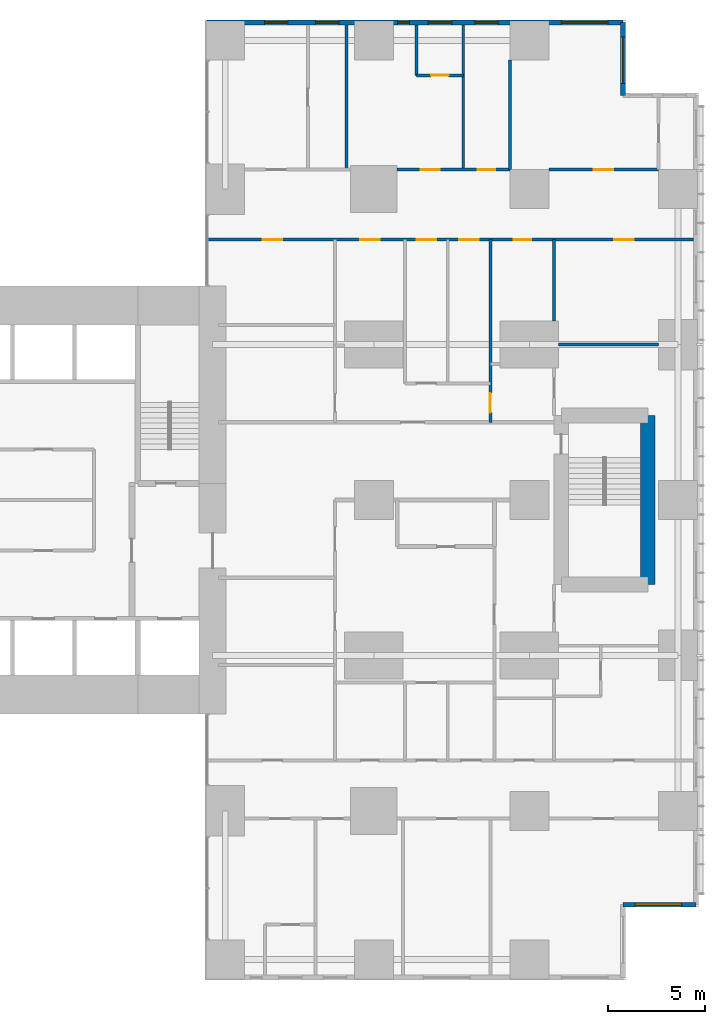
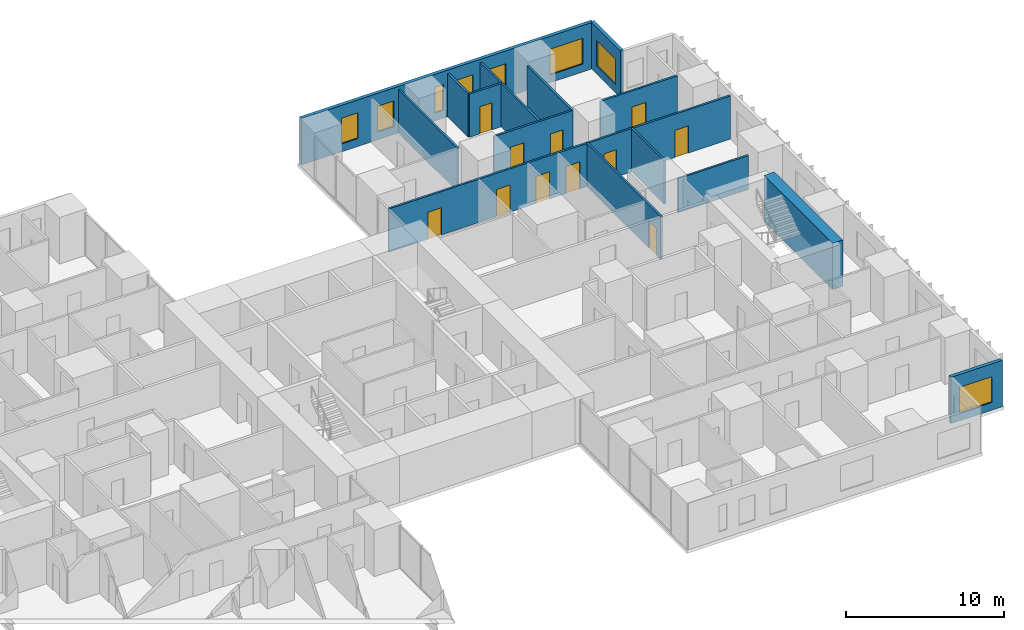
# One storey, part 18 of 20: 15 walls, 11 doors, 8 windows, 19 openings.
"""IFC4 building model written with IfcOpenShell, lengths in metres."""

from ifc_helpers import new_model, si_unit, direction, frame, frame_2d, origin, place, context, subcontext, project, spatial, rectangle, extrude, material, layer, layer_set, type_object, element, fill, save


model = new_model("IFC4")

# Units and contexts
model_context = context("Model", 3, precision=1e-05, world=origin(), true_north=direction((0.0, 1.0)))
body_context = subcontext(model_context, "Body", "Model", "MODEL_VIEW")
ifc_project = project(units=[si_unit("LENGTHUNIT", "METRE"), si_unit("AREAUNIT", "SQUARE_METRE"), si_unit("VOLUMEUNIT", "CUBIC_METRE"), si_unit("PLANEANGLEUNIT", "RADIAN"), si_unit("MASSUNIT", "GRAM", prefix="KILO")], contexts=[model_context])

# Site, building, storey
site_placement = place(None, origin())
site = spatial("IfcSite", under=ifc_project, at=site_placement, CompositionType="ELEMENT")
building_placement = place(site_placement, origin())
building = spatial("IfcBuilding", under=site, at=building_placement, Name="Cleftline Residences", CompositionType="ELEMENT")
storey_placement = place(building_placement, frame((0.0, 0.0, 40.39990234375)))
storey = spatial("IfcBuildingStorey", under=building, at=storey_placement, Name="L09", CompositionType="ELEMENT", Elevation=40.39990234375)

# Wall, opening, window
ifc_material_1 = material(Name="Rendered reinforced concrete blockwork", Category="masonry")
ifc_layer_1 = layer(ifc_material_1, 0.25)
ifc_layer_set_1 = layer_set([ifc_layer_1], Name="EXTERNAL WALL 250")
wall_type_1 = type_object("IfcWallType", Name="EXTERNAL WALL 250", PredefinedType="SOLIDWALL", material=ifc_layer_set_1)
wall_1_placement = place(storey_placement, frame((62.824951171875, 3.175048828125, 0.0), z_axis=(0.0, 0.0, 1.0), x_axis=(1.0, 0.0, 0.0)))
wall_1 = element("IfcWall", 1, at=wall_1_placement, inside=storey, type_object=wall_type_1, Name="External wall", PredefinedType="SOLIDWALL", context=body_context, shape_type="SweptSolid", body=[
    extrude(rectangle(XDim=3.75, YDim=0.25, at=frame_2d((1.875, 0.0))), origin(), (0.0, 0.0, 1.0), 3.60009765625),
])
opening_1_placement = place(wall_1_placement, frame((0.612548828125, 0.0, 0.60009765625)))
opening_1 = element("IfcOpeningElement", 2, at=opening_1_placement, cuts=wall_1, Name="Opening W6", PredefinedType="OPENING", context=body_context, shape_type="SweptSolid", body=[
    extrude(rectangle(XDim=2.39990234375, YDim=2.0, at=frame_2d((1.199951171875, 1.0))), frame((0.0, 0.135009765625, 0.0), z_axis=(0.0, -1.0, 0.0), x_axis=(1.0, 0.0, 0.0)), (0.0, 0.0, 1.0), 0.27001953125),
])
ifc_material_2 = material(Name="Aluminium frame, clear double glazing", Category="aluminium")
window_type_1 = type_object("IfcWindowType", Name="WINDOW 2400X2000", PartitioningType="DOUBLE_PANEL_VERTICAL", PredefinedType="WINDOW", material=ifc_material_2)
window_1_placement = place(opening_1_placement, origin())
window_1 = element("IfcWindow", 3, at=window_1_placement, inside=storey, type_object=window_type_1, Name="Window", OverallHeight=2.0, OverallWidth=2.39990234375, PartitioningType="SINGLE_PANEL", PredefinedType="WINDOW", context=body_context, shape_type="SweptSolid", body=[
    extrude(rectangle(XDim=2.39990234375, YDim=2.0, at=frame_2d((1.199951171875, 1.0))), frame((0.0, 0.030029296875, 0.0), z_axis=(0.0, -1.0, 0.0), x_axis=(1.0, 0.0, 0.0)), (0.0, 0.0, 1.0), 0.06005859375),
])
fill(opening_1, window_1)

wall_2_placement = place(storey_placement, frame((62.824951171875, 44.824951171875, 0.0), z_axis=(0.0, 0.0, 1.0), x_axis=(0.0, 1.0, 0.0)))
wall_2 = element("IfcWall", 4, at=wall_2_placement, inside=storey, type_object=wall_type_1, Name="External wall", PredefinedType="SOLIDWALL", context=body_context, shape_type="SweptSolid", body=[
    extrude(rectangle(XDim=3.75, YDim=0.25, at=frame_2d((1.875, 0.0))), origin(), (0.0, 0.0, 1.0), 3.60009765625),
])
opening_2_placement = place(wall_2_placement, frame((0.612548828125, 0.0, 0.60009765625)))
opening_2 = element("IfcOpeningElement", 5, at=opening_2_placement, cuts=wall_2, Name="Opening W6", PredefinedType="OPENING", context=body_context, shape_type="SweptSolid", body=[
    extrude(rectangle(XDim=2.39990234375, YDim=2.0, at=frame_2d((1.199951171875, 1.0))), frame((0.0, 0.135009765625, 0.0), z_axis=(0.0, -1.0, 0.0), x_axis=(1.0, 0.0, 0.0)), (0.0, 0.0, 1.0), 0.27001953125),
])
window_2_placement = place(opening_2_placement, origin())
window_2 = element("IfcWindow", 6, at=window_2_placement, inside=storey, type_object=window_type_1, Name="Window", OverallHeight=2.0, OverallWidth=2.39990234375, PartitioningType="SINGLE_PANEL", PredefinedType="WINDOW", context=body_context, shape_type="SweptSolid", body=[
    extrude(rectangle(XDim=2.39990234375, YDim=2.0, at=frame_2d((1.199951171875, 1.0))), frame((0.0, 0.030029296875, 0.0), z_axis=(0.0, -1.0, 0.0), x_axis=(1.0, 0.0, 0.0)), (0.0, 0.0, 1.0), 0.06005859375),
])
fill(opening_2, window_2)

# Wall, openings, windows
wall_3_placement = place(storey_placement, frame((62.824951171875, 48.574951171875, 0.0), z_axis=(0.0, 0.0, 1.0), x_axis=(-1.0, 0.0, 0.0)))
wall_3 = element("IfcWall", 7, at=wall_3_placement, inside=storey, type_object=wall_type_1, Name="External wall", PredefinedType="SOLIDWALL", context=body_context, shape_type="SweptSolid", body=[
    extrude(rectangle(XDim=21.39990234375, YDim=0.25, at=frame_2d((10.699951171875, 0.0))), origin(), (0.0, 0.0, 1.0), 3.60009765625),
])
opening_3_placement = place(wall_3_placement, frame((0.77490234375, 0.0, 0.60009765625)))
opening_3 = element("IfcOpeningElement", 8, at=opening_3_placement, cuts=wall_3, Name="Opening W6", PredefinedType="OPENING", context=body_context, shape_type="SweptSolid", body=[
    extrude(rectangle(XDim=2.39990234375, YDim=2.0, at=frame_2d((1.199951171875, 1.0))), frame((0.0, 0.135009765625, 0.0), z_axis=(0.0, -1.0, 0.0), x_axis=(1.0, 0.0, 0.0)), (0.0, 0.0, 1.0), 0.27001953125),
])
opening_4_placement = place(wall_3_placement, frame((6.425048828125, 0.0, 0.60009765625)))
opening_4 = element("IfcOpeningElement", 9, at=opening_4_placement, cuts=wall_3, Name="Opening W8", PredefinedType="OPENING", context=body_context, shape_type="SweptSolid", body=[
    extrude(rectangle(XDim=1.199951171875, YDim=2.0, at=frame_2d((0.60009765625, 1.0))), frame((0.0, 0.135009765625, 0.0), z_axis=(0.0, -1.0, 0.0), x_axis=(1.0, 0.0, 0.0)), (0.0, 0.0, 1.0), 0.27001953125),
])
opening_5_placement = place(wall_3_placement, frame((8.824951171875, 0.0, 0.60009765625)))
opening_5 = element("IfcOpeningElement", 10, at=opening_5_placement, cuts=wall_3, Name="Opening W8", PredefinedType="OPENING", context=body_context, shape_type="SweptSolid", body=[
    extrude(rectangle(XDim=1.199951171875, YDim=2.0, at=frame_2d((0.60009765625, 1.0))), frame((0.0, 0.135009765625, 0.0), z_axis=(0.0, -1.0, 0.0), x_axis=(1.0, 0.0, 0.0)), (0.0, 0.0, 1.0), 0.27001953125),
])
opening_6_placement = place(wall_3_placement, frame((11.0, 0.0, 0.60009765625)))
opening_6 = element("IfcOpeningElement", 11, at=opening_6_placement, cuts=wall_3, Name="Opening W7", PredefinedType="OPENING", context=body_context, shape_type="SweptSolid", body=[
    extrude(rectangle(XDim=0.60009765625, YDim=2.0, at=frame_2d((0.300048828125, 1.0))), frame((0.0, 0.135009765625, 0.0), z_axis=(0.0, -1.0, 0.0), x_axis=(1.0, 0.0, 0.0)), (0.0, 0.0, 1.0), 0.27001953125),
])
opening_7_placement = place(wall_3_placement, frame((14.625, 0.0, 0.60009765625)))
opening_7 = element("IfcOpeningElement", 12, at=opening_7_placement, cuts=wall_3, Name="Opening W8", PredefinedType="OPENING", context=body_context, shape_type="SweptSolid", body=[
    extrude(rectangle(XDim=1.199951171875, YDim=2.0, at=frame_2d((0.60009765625, 1.0))), frame((0.0, 0.135009765625, 0.0), z_axis=(0.0, -1.0, 0.0), x_axis=(1.0, 0.0, 0.0)), (0.0, 0.0, 1.0), 0.27001953125),
])
opening_8_placement = place(wall_3_placement, frame((17.25, 0.0, 0.60009765625)))
opening_8 = element("IfcOpeningElement", 13, at=opening_8_placement, cuts=wall_3, Name="Opening W8", PredefinedType="OPENING", context=body_context, shape_type="SweptSolid", body=[
    extrude(rectangle(XDim=1.199951171875, YDim=2.0, at=frame_2d((0.60009765625, 1.0))), frame((0.0, 0.135009765625, 0.0), z_axis=(0.0, -1.0, 0.0), x_axis=(1.0, 0.0, 0.0)), (0.0, 0.0, 1.0), 0.27001953125),
])
ifc_material_3 = material(Name="Aluminium frame, clear double glazing", Category="aluminium")
window_type_2 = type_object("IfcWindowType", Name="WINDOW 1200X2000", PartitioningType="DOUBLE_PANEL_VERTICAL", PredefinedType="WINDOW", material=ifc_material_3)
window_3_placement = place(opening_4_placement, origin())
window_3 = element("IfcWindow", 14, at=window_3_placement, inside=storey, type_object=window_type_2, Name="Window", OverallHeight=2.0, OverallWidth=1.199951171875, PartitioningType="SINGLE_PANEL", PredefinedType="WINDOW", context=body_context, shape_type="SweptSolid", body=[
    extrude(rectangle(XDim=1.199951171875, YDim=2.0, at=frame_2d((0.60009765625, 1.0))), frame((0.0, 0.030029296875, 0.0), z_axis=(0.0, -1.0, 0.0), x_axis=(1.0, 0.0, 0.0)), (0.0, 0.0, 1.0), 0.06005859375),
])
fill(opening_4, window_3)
window_4_placement = place(opening_5_placement, origin())
window_4 = element("IfcWindow", 15, at=window_4_placement, inside=storey, type_object=window_type_2, Name="Window", OverallHeight=2.0, OverallWidth=1.199951171875, PartitioningType="SINGLE_PANEL", PredefinedType="WINDOW", context=body_context, shape_type="SweptSolid", body=[
    extrude(rectangle(XDim=1.199951171875, YDim=2.0, at=frame_2d((0.60009765625, 1.0))), frame((0.0, 0.030029296875, 0.0), z_axis=(0.0, -1.0, 0.0), x_axis=(1.0, 0.0, 0.0)), (0.0, 0.0, 1.0), 0.06005859375),
])
fill(opening_5, window_4)
window_5_placement = place(opening_7_placement, origin())
window_5 = element("IfcWindow", 16, at=window_5_placement, inside=storey, type_object=window_type_2, Name="Window", OverallHeight=2.0, OverallWidth=1.199951171875, PartitioningType="SINGLE_PANEL", PredefinedType="WINDOW", context=body_context, shape_type="SweptSolid", body=[
    extrude(rectangle(XDim=1.199951171875, YDim=2.0, at=frame_2d((0.60009765625, 1.0))), frame((0.0, 0.030029296875, 0.0), z_axis=(0.0, -1.0, 0.0), x_axis=(1.0, 0.0, 0.0)), (0.0, 0.0, 1.0), 0.06005859375),
])
fill(opening_7, window_5)
window_6_placement = place(opening_8_placement, origin())
window_6 = element("IfcWindow", 17, at=window_6_placement, inside=storey, type_object=window_type_2, Name="Window", OverallHeight=2.0, OverallWidth=1.199951171875, PartitioningType="SINGLE_PANEL", PredefinedType="WINDOW", context=body_context, shape_type="SweptSolid", body=[
    extrude(rectangle(XDim=1.199951171875, YDim=2.0, at=frame_2d((0.60009765625, 1.0))), frame((0.0, 0.030029296875, 0.0), z_axis=(0.0, -1.0, 0.0), x_axis=(1.0, 0.0, 0.0)), (0.0, 0.0, 1.0), 0.06005859375),
])
fill(opening_8, window_6)
window_7_placement = place(opening_3_placement, origin())
window_7 = element("IfcWindow", 18, at=window_7_placement, inside=storey, type_object=window_type_1, Name="Window", OverallHeight=2.0, OverallWidth=2.39990234375, PartitioningType="SINGLE_PANEL", PredefinedType="WINDOW", context=body_context, shape_type="SweptSolid", body=[
    extrude(rectangle(XDim=2.39990234375, YDim=2.0, at=frame_2d((1.199951171875, 1.0))), frame((0.0, 0.030029296875, 0.0), z_axis=(0.0, -1.0, 0.0), x_axis=(1.0, 0.0, 0.0)), (0.0, 0.0, 1.0), 0.06005859375),
])
fill(opening_3, window_7)
ifc_material_4 = material(Name="Aluminium frame, clear double glazing", Category="aluminium")
window_type_3 = type_object("IfcWindowType", Name="WINDOW 600X2000", PartitioningType="DOUBLE_PANEL_VERTICAL", PredefinedType="WINDOW", material=ifc_material_4)
window_8_placement = place(opening_6_placement, origin())
window_8 = element("IfcWindow", 19, at=window_8_placement, inside=storey, type_object=window_type_3, Name="Window", OverallHeight=2.0, OverallWidth=0.60009765625, PartitioningType="SINGLE_PANEL", PredefinedType="WINDOW", context=body_context, shape_type="SweptSolid", body=[
    extrude(rectangle(XDim=0.60009765625, YDim=2.0, at=frame_2d((0.300048828125, 1.0))), frame((0.0, 0.030029296875, 0.0), z_axis=(0.0, -1.0, 0.0), x_axis=(1.0, 0.0, 0.0)), (0.0, 0.0, 1.0), 0.06005859375),
])
fill(opening_6, window_8)

# Wall
ifc_material_5 = material(Name="Gypsum board on steel studs", Category="steel")
ifc_layer_2 = layer(ifc_material_5, 0.14990234375)
ifc_layer_set_2 = layer_set([ifc_layer_2], Name="PARTITION 150")
wall_type_2 = type_object("IfcWallType", Name="PARTITION 150", PredefinedType="PARTITIONING", material=ifc_layer_set_2)
wall_4_placement = place(storey_placement, frame((59.5, 32.0, 0.0), z_axis=(0.0, 0.0, 1.0), x_axis=(1.0, 0.0, 0.0)))
element("IfcWall", 20, at=wall_4_placement, inside=storey, type_object=wall_type_2, Name="Partition", PredefinedType="PARTITIONING", context=body_context, shape_type="SweptSolid", body=[
    extrude(rectangle(XDim=5.14990234375, YDim=0.14990234375, at=frame_2d((2.574951171875, 0.0))), origin(), (0.0, 0.0, 1.0), 2.634033203125),
])

# Wall, openings, doors
wall_5_placement = place(storey_placement, frame((41.43896484375, 37.39990234375, 0.0), z_axis=(0.0, 0.0, 1.0), x_axis=(1.0, 0.0, 0.0)))
wall_5 = element("IfcWall", 21, at=wall_5_placement, inside=storey, type_object=wall_type_2, Name="Partition", PredefinedType="PARTITIONING", context=body_context, shape_type="SweptSolid", body=[
    extrude(rectangle(XDim=25.010986328125, YDim=0.14990234375, at=frame_2d((12.50537109375, 0.0))), origin(), (0.0, 0.0, 1.0), 3.35009765625),
])
opening_9_placement = place(wall_5_placement, frame((10.760986328125, 0.0, 0.0)))
opening_9 = element("IfcOpeningElement", 22, at=opening_9_placement, cuts=wall_5, Name="Opening D2", PredefinedType="OPENING", context=body_context, shape_type="SweptSolid", body=[
    extrude(rectangle(XDim=1.0, YDim=2.10009765625, at=frame_2d((0.5, 1.050048828125))), frame((0.0, 0.0849609375, 0.0), z_axis=(0.0, -1.0, 0.0), x_axis=(1.0, 0.0, 0.0)), (0.0, 0.0, 1.0), 0.169921875),
])
opening_10_placement = place(wall_5_placement, frame((20.923583984375, 0.0, 0.0)))
opening_10 = element("IfcOpeningElement", 23, at=opening_10_placement, cuts=wall_5, Name="Opening D2", PredefinedType="OPENING", context=body_context, shape_type="SweptSolid", body=[
    extrude(rectangle(XDim=1.0, YDim=2.10009765625, at=frame_2d((0.5, 1.050048828125))), frame((0.0, 0.0849609375, 0.0), z_axis=(0.0, -1.0, 0.0), x_axis=(1.0, 0.0, 0.0)), (0.0, 0.0, 1.0), 0.169921875),
])
opening_11_placement = place(wall_5_placement, frame((15.74853515625, 0.0, 0.0)))
opening_11 = element("IfcOpeningElement", 24, at=opening_11_placement, cuts=wall_5, Name="Opening D1", PredefinedType="OPENING", context=body_context, shape_type="SweptSolid", body=[
    extrude(rectangle(XDim=0.89990234375, YDim=2.10009765625, at=frame_2d((0.449951171875, 1.050048828125))), frame((0.0, 0.0849609375, 0.0), z_axis=(0.0, -1.0, 0.0), x_axis=(1.0, 0.0, 0.0)), (0.0, 0.0, 1.0), 0.169921875),
])
opening_12_placement = place(wall_5_placement, frame((12.9609375, 0.0, 0.0)))
opening_12 = element("IfcOpeningElement", 25, at=opening_12_placement, cuts=wall_5, Name="Opening D2", PredefinedType="OPENING", context=body_context, shape_type="SweptSolid", body=[
    extrude(rectangle(XDim=1.0, YDim=2.10009765625, at=frame_2d((0.5, 1.050048828125))), frame((0.0, 0.0849609375, 0.0), z_axis=(0.0, -1.0, 0.0), x_axis=(1.0, 0.0, 0.0)), (0.0, 0.0, 1.0), 0.169921875),
])
opening_13_placement = place(wall_5_placement, frame((7.861083984375, 0.0, 0.0)))
opening_13 = element("IfcOpeningElement", 26, at=opening_13_placement, cuts=wall_5, Name="Opening D2", PredefinedType="OPENING", context=body_context, shape_type="SweptSolid", body=[
    extrude(rectangle(XDim=1.0, YDim=2.10009765625, at=frame_2d((0.5, 1.050048828125))), frame((0.0, 0.0849609375, 0.0), z_axis=(0.0, -1.0, 0.0), x_axis=(1.0, 0.0, 0.0)), (0.0, 0.0, 1.0), 0.169921875),
])
opening_14_placement = place(wall_5_placement, frame((2.8359375, 0.0, 0.0)))
opening_14 = element("IfcOpeningElement", 27, at=opening_14_placement, cuts=wall_5, Name="Opening D2", PredefinedType="OPENING", context=body_context, shape_type="SweptSolid", body=[
    extrude(rectangle(XDim=1.0, YDim=2.10009765625, at=frame_2d((0.5, 1.050048828125))), frame((0.0, 0.0849609375, 0.0), z_axis=(0.0, -1.0, 0.0), x_axis=(1.0, 0.0, 0.0)), (0.0, 0.0, 1.0), 0.169921875),
])
ifc_material_6 = material(Name="Timber veneer on solid core", Category="wood")
door_type_1 = type_object("IfcDoorType", Name="DOOR 1000X2100", OperationType="SINGLE_SWING_LEFT", PredefinedType="DOOR", material=ifc_material_6)
door_1_placement = place(opening_9_placement, origin())
door_1 = element("IfcDoor", 28, at=door_1_placement, inside=storey, type_object=door_type_1, Name="Door to residence hall", OperationType="SINGLE_SWING_RIGHT", OverallHeight=2.10009765625, OverallWidth=1.0, PredefinedType="DOOR", context=body_context, shape_type="SweptSolid", body=[
    extrude(rectangle(XDim=1.0, YDim=2.10009765625, at=frame_2d((0.5, 1.050048828125))), frame((0.0, 0.02490234375, 0.0), z_axis=(0.0, -1.0, 0.0), x_axis=(1.0, 0.0, 0.0)), (0.0, 0.0, 1.0), 0.050048828125),
])
fill(opening_9, door_1)
door_2_placement = place(opening_10_placement, origin())
door_2 = element("IfcDoor", 29, at=door_2_placement, inside=storey, type_object=door_type_1, Name="Door to sea-view living room", OperationType="SINGLE_SWING_LEFT", OverallHeight=2.10009765625, OverallWidth=1.0, PredefinedType="DOOR", context=body_context, shape_type="SweptSolid", body=[
    extrude(rectangle(XDim=1.0, YDim=2.10009765625, at=frame_2d((0.5, 1.050048828125))), frame((0.0, 0.02490234375, 0.0), z_axis=(0.0, -1.0, 0.0), x_axis=(1.0, 0.0, 0.0)), (0.0, 0.0, 1.0), 0.050048828125),
])
fill(opening_10, door_2)
door_3_placement = place(opening_12_placement, origin())
door_3 = element("IfcDoor", 30, at=door_3_placement, inside=storey, type_object=door_type_1, Name="Door to show kitchen", OperationType="SINGLE_SWING_LEFT", OverallHeight=2.10009765625, OverallWidth=1.0, PredefinedType="DOOR", context=body_context, shape_type="SweptSolid", body=[
    extrude(rectangle(XDim=1.0, YDim=2.10009765625, at=frame_2d((0.5, 1.050048828125))), frame((0.0, 0.02490234375, 0.0), z_axis=(0.0, -1.0, 0.0), x_axis=(1.0, 0.0, 0.0)), (0.0, 0.0, 1.0), 0.050048828125),
])
fill(opening_12, door_3)
door_4_placement = place(opening_13_placement, origin())
door_4 = element("IfcDoor", 31, at=door_4_placement, inside=storey, type_object=door_type_1, Name="Door to wet kitchen", OperationType="SINGLE_SWING_RIGHT", OverallHeight=2.10009765625, OverallWidth=1.0, PredefinedType="DOOR", context=body_context, shape_type="SweptSolid", body=[
    extrude(rectangle(XDim=1.0, YDim=2.10009765625, at=frame_2d((0.5, 1.050048828125))), frame((0.0, 0.02490234375, 0.0), z_axis=(0.0, -1.0, 0.0), x_axis=(1.0, 0.0, 0.0)), (0.0, 0.0, 1.0), 0.050048828125),
])
fill(opening_13, door_4)
door_5_placement = place(opening_14_placement, origin())
door_5 = element("IfcDoor", 32, at=door_5_placement, inside=storey, type_object=door_type_1, Name="Door to study", OperationType="SINGLE_SWING_RIGHT", OverallHeight=2.10009765625, OverallWidth=1.0, PredefinedType="DOOR", context=body_context, shape_type="SweptSolid", body=[
    extrude(rectangle(XDim=1.0, YDim=2.10009765625, at=frame_2d((0.5, 1.050048828125))), frame((0.0, 0.02490234375, 0.0), z_axis=(0.0, -1.0, 0.0), x_axis=(1.0, 0.0, 0.0)), (0.0, 0.0, 1.0), 0.050048828125),
])
fill(opening_14, door_5)
ifc_material_7 = material(Name="Timber veneer on solid core", Category="wood")
door_type_2 = type_object("IfcDoorType", Name="DOOR 900X2100", OperationType="SINGLE_SWING_LEFT", PredefinedType="DOOR", material=ifc_material_7)
door_6_placement = place(opening_11_placement, origin())
door_6 = element("IfcDoor", 33, at=door_6_placement, inside=storey, type_object=door_type_2, Name="Door to master bathroom", OperationType="SINGLE_SWING_LEFT", OverallHeight=2.10009765625, OverallWidth=0.89990234375, PredefinedType="DOOR", context=body_context, shape_type="SweptSolid", body=[
    extrude(rectangle(XDim=0.89990234375, YDim=2.10009765625, at=frame_2d((0.449951171875, 1.050048828125))), frame((0.0, 0.02490234375, 0.0), z_axis=(0.0, -1.0, 0.0), x_axis=(1.0, 0.0, 0.0)), (0.0, 0.0, 1.0), 0.050048828125),
])
fill(opening_11, door_6)

wall_6_placement = place(storey_placement, frame((51.199951171875, 41.0, 0.0), z_axis=(0.0, 0.0, 1.0), x_axis=(1.0, 0.0, 0.0)))
wall_6 = element("IfcWall", 34, at=wall_6_placement, inside=storey, type_object=wall_type_2, Name="Partition", PredefinedType="PARTITIONING", context=body_context, shape_type="SweptSolid", body=[
    extrude(rectangle(XDim=5.800048828125, YDim=0.14990234375, at=frame_2d((2.89990234375, 0.0))), origin(), (0.0, 0.0, 1.0), 3.35009765625),
])
opening_15_placement = place(wall_6_placement, frame((4.14990234375, 0.0, 0.0)))
opening_15 = element("IfcOpeningElement", 35, at=opening_15_placement, cuts=wall_6, Name="Opening D1", PredefinedType="OPENING", context=body_context, shape_type="SweptSolid", body=[
    extrude(rectangle(XDim=0.89990234375, YDim=2.10009765625, at=frame_2d((0.449951171875, 1.050048828125))), frame((0.0, 0.0849609375, 0.0), z_axis=(0.0, -1.0, 0.0), x_axis=(1.0, 0.0, 0.0)), (0.0, 0.0, 1.0), 0.169921875),
])
opening_16_placement = place(wall_6_placement, frame((1.199951171875, 0.0, 0.0)))
opening_16 = element("IfcOpeningElement", 36, at=opening_16_placement, cuts=wall_6, Name="Opening D2", PredefinedType="OPENING", context=body_context, shape_type="SweptSolid", body=[
    extrude(rectangle(XDim=1.0, YDim=2.10009765625, at=frame_2d((0.5, 1.050048828125))), frame((0.0, 0.0849609375, 0.0), z_axis=(0.0, -1.0, 0.0), x_axis=(1.0, 0.0, 0.0)), (0.0, 0.0, 1.0), 0.169921875),
])
door_7_placement = place(opening_16_placement, origin())
door_7 = element("IfcDoor", 37, at=door_7_placement, inside=storey, type_object=door_type_1, Name="Door to bedroom 2", OperationType="SINGLE_SWING_RIGHT", OverallHeight=2.10009765625, OverallWidth=1.0, PredefinedType="DOOR", context=body_context, shape_type="SweptSolid", body=[
    extrude(rectangle(XDim=1.0, YDim=2.10009765625, at=frame_2d((0.5, 1.050048828125))), frame((0.0, 0.02490234375, 0.0), z_axis=(0.0, -1.0, 0.0), x_axis=(1.0, 0.0, 0.0)), (0.0, 0.0, 1.0), 0.050048828125),
])
fill(opening_16, door_7)
door_8_placement = place(opening_15_placement, origin())
door_8 = element("IfcDoor", 38, at=door_8_placement, inside=storey, type_object=door_type_2, Name="Door to master dressing room", OperationType="SINGLE_SWING_LEFT", OverallHeight=2.10009765625, OverallWidth=0.89990234375, PredefinedType="DOOR", context=body_context, shape_type="SweptSolid", body=[
    extrude(rectangle(XDim=0.89990234375, YDim=2.10009765625, at=frame_2d((0.449951171875, 1.050048828125))), frame((0.0, 0.02490234375, 0.0), z_axis=(0.0, -1.0, 0.0), x_axis=(1.0, 0.0, 0.0)), (0.0, 0.0, 1.0), 0.050048828125),
])
fill(opening_15, door_8)

# Wall, opening, door
wall_7_placement = place(storey_placement, frame((59.0, 41.0, 0.0), z_axis=(0.0, 0.0, 1.0), x_axis=(1.0, 0.0, 0.0)))
wall_7 = element("IfcWall", 39, at=wall_7_placement, inside=storey, type_object=wall_type_2, Name="Partition", PredefinedType="PARTITIONING", context=body_context, shape_type="SweptSolid", body=[
    extrude(rectangle(XDim=5.64990234375, YDim=0.14990234375, at=frame_2d((2.824951171875, 0.0))), origin(), (0.0, 0.0, 1.0), 3.35009765625),
])
opening_17_placement = place(wall_7_placement, frame((2.324951171875, 0.0, 0.0)))
opening_17 = element("IfcOpeningElement", 40, at=opening_17_placement, cuts=wall_7, Name="Opening D2", PredefinedType="OPENING", context=body_context, shape_type="SweptSolid", body=[
    extrude(rectangle(XDim=1.0, YDim=2.10009765625, at=frame_2d((0.5, 1.050048828125))), frame((0.0, 0.0849609375, 0.0), z_axis=(0.0, -1.0, 0.0), x_axis=(1.0, 0.0, 0.0)), (0.0, 0.0, 1.0), 0.169921875),
])
door_9_placement = place(opening_17_placement, origin())
door_9 = element("IfcDoor", 41, at=door_9_placement, inside=storey, type_object=door_type_1, Name="Door to master bedroom", OperationType="SINGLE_SWING_LEFT", OverallHeight=2.10009765625, OverallWidth=1.0, PredefinedType="DOOR", context=body_context, shape_type="SweptSolid", body=[
    extrude(rectangle(XDim=1.0, YDim=2.10009765625, at=frame_2d((0.5, 1.050048828125))), frame((0.0, 0.02490234375, 0.0), z_axis=(0.0, -1.0, 0.0), x_axis=(1.0, 0.0, 0.0)), (0.0, 0.0, 1.0), 0.050048828125),
])
fill(opening_17, door_9)

wall_8_placement = place(storey_placement, frame((52.199951171875, 45.85009765625, 0.0), z_axis=(0.0, 0.0, 1.0), x_axis=(1.0, 0.0, 0.0)))
wall_8 = element("IfcWall", 42, at=wall_8_placement, inside=storey, type_object=wall_type_2, Name="Partition", PredefinedType="PARTITIONING", context=body_context, shape_type="SweptSolid", body=[
    extrude(rectangle(XDim=2.400146484375, YDim=0.14990234375, at=frame_2d((1.2001953125, 0.0))), origin(), (0.0, 0.0, 1.0), 3.35009765625),
])
opening_18_placement = place(wall_8_placement, frame((0.75, 0.0, 0.0)))
opening_18 = element("IfcOpeningElement", 43, at=opening_18_placement, cuts=wall_8, Name="Opening D1", PredefinedType="OPENING", context=body_context, shape_type="SweptSolid", body=[
    extrude(rectangle(XDim=0.89990234375, YDim=2.10009765625, at=frame_2d((0.449951171875, 1.050048828125))), frame((0.0, 0.0849609375, 0.0), z_axis=(0.0, -1.0, 0.0), x_axis=(1.0, 0.0, 0.0)), (0.0, 0.0, 1.0), 0.169921875),
])
door_10_placement = place(opening_18_placement, origin())
door_10 = element("IfcDoor", 44, at=door_10_placement, inside=storey, type_object=door_type_2, Name="Door to en-suite bathroom 2", OperationType="SINGLE_SWING_LEFT", OverallHeight=2.10009765625, OverallWidth=0.89990234375, PredefinedType="DOOR", context=body_context, shape_type="SweptSolid", body=[
    extrude(rectangle(XDim=0.89990234375, YDim=2.10009765625, at=frame_2d((0.449951171875, 1.050048828125))), frame((0.0, 0.02490234375, 0.0), z_axis=(0.0, -1.0, 0.0), x_axis=(1.0, 0.0, 0.0)), (0.0, 0.0, 1.0), 0.050048828125),
])
fill(opening_18, door_10)

# Walls
wall_9_placement = place(storey_placement, frame((48.60009765625, 41.0, 0.0), z_axis=(0.0, 0.0, 1.0), x_axis=(0.0, 1.0, 0.0)))
element("IfcWall", 45, at=wall_9_placement, inside=storey, type_object=wall_type_2, Name="Partition", PredefinedType="PARTITIONING", context=body_context, shape_type="SweptSolid", body=[
    extrude(rectangle(XDim=7.449951171875, YDim=0.14990234375, at=frame_2d((3.72509765625, 0.0))), origin(), (0.0, 0.0, 1.0), 3.35009765625),
])
wall_10_placement = place(storey_placement, frame((52.199951171875, 45.85009765625, 0.0), z_axis=(0.0, 0.0, 1.0), x_axis=(0.0, 1.0, 0.0)))
element("IfcWall", 46, at=wall_10_placement, inside=storey, type_object=wall_type_2, Name="Partition", PredefinedType="PARTITIONING", context=body_context, shape_type="SweptSolid", body=[
    extrude(rectangle(XDim=2.599853515625, YDim=0.14990234375, at=frame_2d((1.2998046875, 0.0))), origin(), (0.0, 0.0, 1.0), 3.35009765625),
])
wall_11_placement = place(storey_placement, frame((54.60009765625, 41.0, 0.0), z_axis=(0.0, 0.0, 1.0), x_axis=(0.0, 1.0, 0.0)))
element("IfcWall", 47, at=wall_11_placement, inside=storey, type_object=wall_type_2, Name="Partition", PredefinedType="PARTITIONING", context=body_context, shape_type="SweptSolid", body=[
    extrude(rectangle(XDim=7.449951171875, YDim=0.14990234375, at=frame_2d((3.72509765625, 0.0))), origin(), (0.0, 0.0, 1.0), 3.35009765625),
])

# Wall, opening, door
wall_12_placement = place(storey_placement, frame((56.0, 28.0, 0.0), z_axis=(0.0, 0.0, 1.0), x_axis=(0.0, 1.0, 0.0)))
wall_12 = element("IfcWall", 48, at=wall_12_placement, inside=storey, type_object=wall_type_2, Name="Partition", PredefinedType="PARTITIONING", context=body_context, shape_type="SweptSolid", body=[
    extrude(rectangle(XDim=9.39990234375, YDim=0.14990234375, at=frame_2d((4.699951171875, 0.0))), origin(), (0.0, 0.0, 1.0), 3.35009765625),
])
opening_19_placement = place(wall_12_placement, frame((0.5, 0.0, 0.0)))
opening_19 = element("IfcOpeningElement", 49, at=opening_19_placement, cuts=wall_12, Name="Opening D2F30", PredefinedType="OPENING", context=body_context, shape_type="SweptSolid", body=[
    extrude(rectangle(XDim=1.0, YDim=2.10009765625, at=frame_2d((0.5, 1.050048828125))), frame((0.0, 0.0849609375, 0.0), z_axis=(0.0, -1.0, 0.0), x_axis=(1.0, 0.0, 0.0)), (0.0, 0.0, 1.0), 0.169921875),
])
ifc_material_8 = material(Name="Timber veneer on solid core", Category="wood")
door_type_3 = type_object("IfcDoorType", Name="DOOR 1000X2100 EI 30", OperationType="SINGLE_SWING_LEFT", PredefinedType="DOOR", material=ifc_material_8)
door_11_placement = place(opening_19_placement, origin())
door_11 = element("IfcDoor", 50, at=door_11_placement, inside=storey, type_object=door_type_3, Name="Door to residence lobby (service)", OperationType="SINGLE_SWING_RIGHT", OverallHeight=2.10009765625, OverallWidth=1.0, PredefinedType="DOOR", context=body_context, shape_type="SweptSolid", body=[
    extrude(rectangle(XDim=1.0, YDim=2.10009765625, at=frame_2d((0.5, 1.050048828125))), frame((0.0, 0.02490234375, 0.0), z_axis=(0.0, -1.0, 0.0), x_axis=(1.0, 0.0, 0.0)), (0.0, 0.0, 1.0), 0.050048828125),
])
fill(opening_19, door_11)

# Walls
wall_13_placement = place(storey_placement, frame((57.0, 41.0, 0.0), z_axis=(0.0, 0.0, 1.0), x_axis=(0.0, 1.0, 0.0)))
element("IfcWall", 51, at=wall_13_placement, inside=storey, type_object=wall_type_2, Name="Partition", PredefinedType="PARTITIONING", context=body_context, shape_type="SweptSolid", body=[
    extrude(rectangle(XDim=5.64990234375, YDim=0.14990234375, at=frame_2d((2.824951171875, 0.0))), origin(), (0.0, 0.0, 1.0), 3.35009765625),
])
wall_14_placement = place(storey_placement, frame((59.27490234375, 33.199951171875, 0.0), z_axis=(0.0, 0.0, 1.0), x_axis=(0.0, 1.0, 0.0)))
element("IfcWall", 52, at=wall_14_placement, inside=storey, type_object=wall_type_2, Name="Partition", PredefinedType="PARTITIONING", context=body_context, shape_type="SweptSolid", body=[
    extrude(rectangle(XDim=4.199951171875, YDim=0.14990234375, at=frame_2d((2.10009765625, 0.0))), origin(), (0.0, 0.0, 1.0), 3.35009765625),
])
ifc_material_9 = material(Name="Concrete B70", Category="concrete")
ifc_layer_3 = layer(ifc_material_9, 0.75)
ifc_layer_set_3 = layer_set([ifc_layer_3], Name="SHEAR WALL 750")
wall_type_3 = type_object("IfcWallType", Name="SHEAR WALL 750", PredefinedType="SHEAR", material=ifc_layer_set_3)
wall_15_placement = place(storey_placement, frame((64.10009765625, 19.64990234375, 0.0), z_axis=(0.0, 0.0, 1.0), x_axis=(0.0, 1.0, 0.0)))
element("IfcWall", 53, at=wall_15_placement, inside=storey, type_object=wall_type_3, Name="Wing shear wall", PredefinedType="SHEAR", context=body_context, shape_type="SweptSolid", body=[
    extrude(rectangle(XDim=8.7001953125, YDim=0.75, at=frame_2d((4.35009765625, 0.0))), origin(), (0.0, 0.0, 1.0), 3.60009765625),
])

save(model, "model.ifc")
